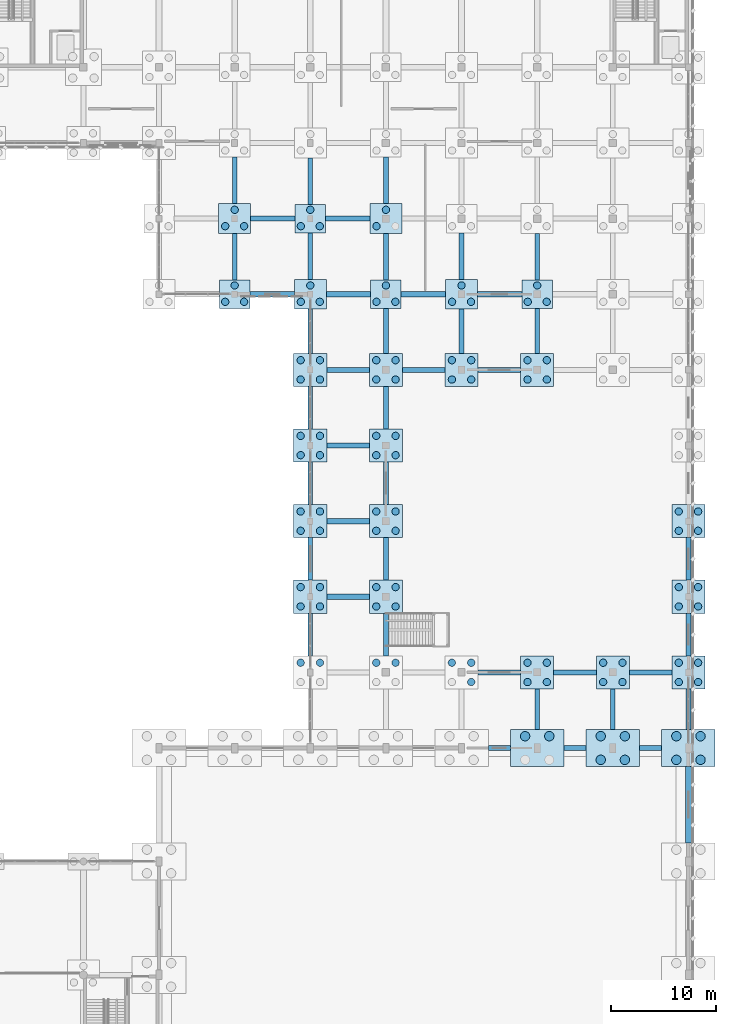
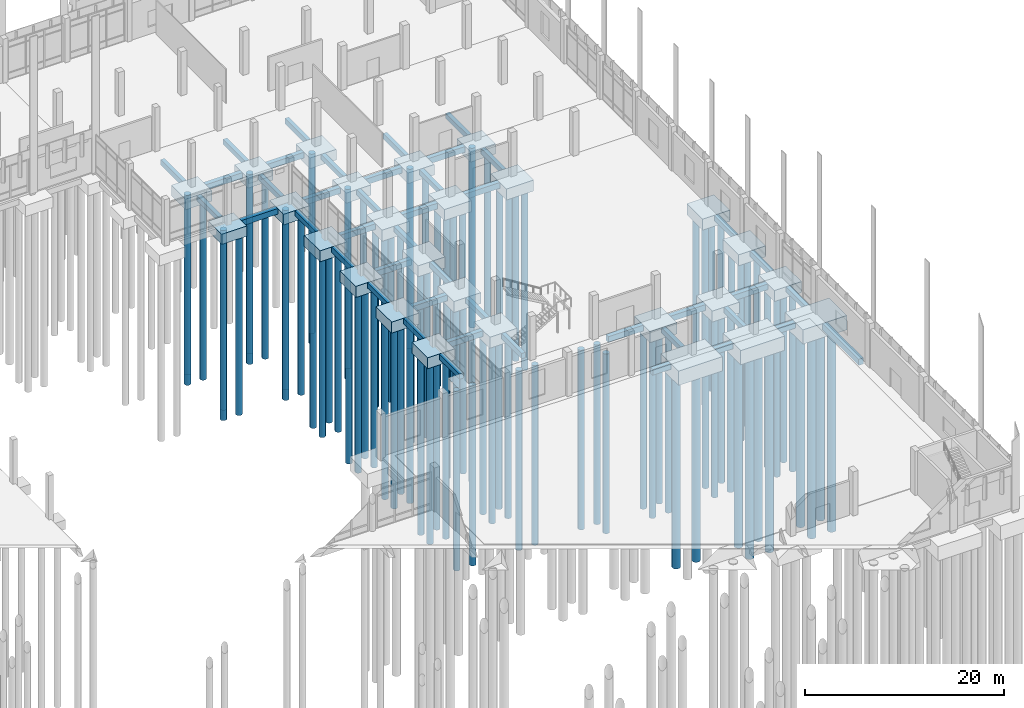
# One storey, part 8 of 109: 100 piles, 70 footings.
"""IFC4 building model written with IfcOpenShell, lengths in metres."""

from ifc_helpers import new_model, si_unit, direction, frame, origin, origin_2d, place, context, subcontext, project, spatial, rectangle, circle, extrude, material, material_profile, profile_set, type_object, element, save


model = new_model("IFC4")

# Units and contexts
model_context = context("Model", 3, precision=1e-05, world=origin(), true_north=direction((0.0, 1.0)))
body_context = subcontext(model_context, "Body", "Model", "MODEL_VIEW")
ifc_project = project(units=[si_unit("LENGTHUNIT", "METRE"), si_unit("AREAUNIT", "SQUARE_METRE"), si_unit("VOLUMEUNIT", "CUBIC_METRE"), si_unit("PLANEANGLEUNIT", "RADIAN"), si_unit("MASSUNIT", "GRAM", prefix="KILO")], contexts=[model_context])

# Site, building, storey
site_placement = place(None, origin())
site = spatial("IfcSite", under=ifc_project, at=site_placement, CompositionType="ELEMENT")
building_placement = place(site_placement, origin())
building = spatial("IfcBuilding", under=site, at=building_placement, Name="Lusvemor Sports Hall", CompositionType="ELEMENT")
storey_placement = place(building_placement, origin())
storey = spatial("IfcBuildingStorey", under=building, at=storey_placement, Name="L00", CompositionType="ELEMENT", Elevation=0.0)

# Footings
ifc_material_1 = material(Name="Concrete C40/50", Category="concrete")
ifc_material_profile_1 = material_profile(ifc_material_1, rectangle(XDim=0.449951171875, YDim=0.64990234375, at=origin_2d()), Name="GB_450x650")
ifc_profile_set_1 = profile_set([ifc_material_profile_1], Name="Concrete C40/50")
footing_type_1 = type_object("IfcFootingType", Name="GBEAM_450x650", PredefinedType="FOOTING_BEAM", material=ifc_profile_set_1)
for number, where, z_axis, x_axis, name in (
    (1, (126.0, 84.14794921875, -0.625), (0.0, 1.0, 0.0), (-1.0, 0.0, 0.0), "Ground Tie Beam 14:L-M"),
    (2, (126.0, 91.423095703125, -0.625), (0.0, 1.0, 0.0), (-1.0, 0.0, 0.0), "Ground Tie Beam 14:M-N"),
):
    element("IfcFooting", number, at=place(storey_placement, frame(where, z_axis=z_axis, x_axis=x_axis)), inside=storey, type_object=footing_type_1, Name=name, PredefinedType="FOOTING_BEAM", context=body_context, shape_type="SweptSolid", body=[
        extrude(rectangle(XDim=0.449951171875, YDim=0.64990234375, at=origin_2d()), origin(), (0.0, 0.0, 1.0), 4.428955078125),
    ])
for number, where, z_axis, x_axis, name in (
    (3, (133.199951171875, 48.373046875, -0.625), (0.0, 1.0, 0.0), (-1.0, 0.0, 0.0), "Ground Tie Beam 15:F-G"),
    (4, (133.199951171875, 55.572998046875, -0.625), (0.0, 1.0, 0.0), (-1.0, 0.0, 0.0), "Ground Tie Beam 15:G-H"),
    (5, (133.199951171875, 62.77294921875, -0.625), (0.0, 1.0, 0.0), (-1.0, 0.0, 0.0), "Ground Tie Beam 15:H-J"),
):
    element("IfcFooting", number, at=place(storey_placement, frame(where, z_axis=z_axis, x_axis=x_axis)), inside=storey, type_object=footing_type_1, Name=name, PredefinedType="FOOTING_BEAM", context=body_context, shape_type="SweptSolid", body=[
        extrude(rectangle(XDim=0.449951171875, YDim=0.64990234375, at=origin_2d()), origin(), (0.0, 0.0, 1.0), 4.053955078125),
    ])
footing_1_placement = place(storey_placement, frame((133.199951171875, 69.972900390625, -0.625), z_axis=(0.0, 1.0, 0.0), x_axis=(-1.0, 0.0, 0.0)))
element("IfcFooting", 6, at=footing_1_placement, inside=storey, type_object=footing_type_1, Name="Ground Tie Beam 15:J-K", PredefinedType="FOOTING_BEAM", context=body_context, shape_type="SweptSolid", body=[
    extrude(rectangle(XDim=0.449951171875, YDim=0.64990234375, at=origin_2d()), origin(), (0.0, 0.0, 1.0), 4.05419921875),
])
footing_2_placement = place(storey_placement, frame((133.199951171875, 77.173095703125, -0.625), z_axis=(0.0, 1.0, 0.0), x_axis=(-1.0, 0.0, 0.0)))
element("IfcFooting", 7, at=footing_2_placement, inside=storey, type_object=footing_type_1, Name="Ground Tie Beam 15:K-L", PredefinedType="FOOTING_BEAM", context=body_context, shape_type="SweptSolid", body=[
    extrude(rectangle(XDim=0.449951171875, YDim=0.64990234375, at=origin_2d()), origin(), (0.0, 0.0, 1.0), 4.203857421875),
])
for number, where, z_axis, x_axis, name in (
    (8, (133.199951171875, 84.222900390625, -0.625), (0.0, 1.0, 0.0), (-1.0, 0.0, 0.0), "Ground Tie Beam 15:L-M"),
    (9, (133.199951171875, 91.347900390625, -0.625), (0.0, 1.0, 0.0), (-1.0, 0.0, 0.0), "Ground Tie Beam 15:M-N"),
):
    element("IfcFooting", number, at=place(storey_placement, frame(where, z_axis=z_axis, x_axis=x_axis)), inside=storey, type_object=footing_type_1, Name=name, PredefinedType="FOOTING_BEAM", context=body_context, shape_type="SweptSolid", body=[
        extrude(rectangle(XDim=0.449951171875, YDim=0.64990234375, at=origin_2d()), origin(), (0.0, 0.0, 1.0), 4.42919921875),
    ])
for number, where, z_axis, x_axis, name in (
    (10, (140.39990234375, 48.373046875, -0.625), (0.0, 1.0, 0.0), (-1.0, 0.0, 0.0), "Ground Tie Beam 16:F-G"),
    (11, (140.39990234375, 55.572998046875, -0.625), (0.0, 1.0, 0.0), (-1.0, 0.0, 0.0), "Ground Tie Beam 16:G-H"),
    (12, (140.39990234375, 62.77294921875, -0.625), (0.0, 1.0, 0.0), (-1.0, 0.0, 0.0), "Ground Tie Beam 16:H-J"),
):
    element("IfcFooting", number, at=place(storey_placement, frame(where, z_axis=z_axis, x_axis=x_axis)), inside=storey, type_object=footing_type_1, Name=name, PredefinedType="FOOTING_BEAM", context=body_context, shape_type="SweptSolid", body=[
        extrude(rectangle(XDim=0.449951171875, YDim=0.64990234375, at=origin_2d()), origin(), (0.0, 0.0, 1.0), 4.053955078125),
    ])
footing_3_placement = place(storey_placement, frame((140.39990234375, 69.972900390625, -0.625), z_axis=(0.0, 1.0, 0.0), x_axis=(-1.0, 0.0, 0.0)))
element("IfcFooting", 13, at=footing_3_placement, inside=storey, type_object=footing_type_1, Name="Ground Tie Beam 16:J-K", PredefinedType="FOOTING_BEAM", context=body_context, shape_type="SweptSolid", body=[
    extrude(rectangle(XDim=0.449951171875, YDim=0.64990234375, at=origin_2d()), origin(), (0.0, 0.0, 1.0), 4.05419921875),
])
footing_4_placement = place(storey_placement, frame((140.39990234375, 77.173095703125, -0.625), z_axis=(0.0, 1.0, 0.0), x_axis=(-1.0, 0.0, 0.0)))
element("IfcFooting", 14, at=footing_4_placement, inside=storey, type_object=footing_type_1, Name="Ground Tie Beam 16:K-L", PredefinedType="FOOTING_BEAM", context=body_context, shape_type="SweptSolid", body=[
    extrude(rectangle(XDim=0.449951171875, YDim=0.64990234375, at=origin_2d()), origin(), (0.0, 0.0, 1.0), 4.27880859375),
])
for number, where, z_axis, x_axis, name in (
    (15, (140.39990234375, 84.14794921875, -0.625), (0.0, 1.0, 0.0), (-1.0, 0.0, 0.0), "Ground Tie Beam 16:L-M"),
    (16, (140.39990234375, 91.423095703125, -0.625), (0.0, 1.0, 0.0), (-1.0, 0.0, 0.0), "Ground Tie Beam 16:M-N"),
):
    element("IfcFooting", number, at=place(storey_placement, frame(where, z_axis=z_axis, x_axis=x_axis)), inside=storey, type_object=footing_type_1, Name=name, PredefinedType="FOOTING_BEAM", context=body_context, shape_type="SweptSolid", body=[
        extrude(rectangle(XDim=0.449951171875, YDim=0.64990234375, at=origin_2d()), origin(), (0.0, 0.0, 1.0), 4.428955078125),
    ])
footing_5_placement = place(storey_placement, frame((147.60009765625, 77.173095703125, -0.625), z_axis=(0.0, 1.0, 0.0), x_axis=(-1.0, 0.0, 0.0)))
element("IfcFooting", 17, at=footing_5_placement, inside=storey, type_object=footing_type_1, Name="Ground Tie Beam 17:K-L", PredefinedType="FOOTING_BEAM", context=body_context, shape_type="SweptSolid", body=[
    extrude(rectangle(XDim=0.449951171875, YDim=0.64990234375, at=origin_2d()), origin(), (0.0, 0.0, 1.0), 4.203857421875),
])
footing_6_placement = place(storey_placement, frame((147.60009765625, 84.222900390625, -0.625), z_axis=(0.0, 1.0, 0.0), x_axis=(-1.0, 0.0, 0.0)))
element("IfcFooting", 18, at=footing_6_placement, inside=storey, type_object=footing_type_1, Name="Ground Tie Beam 17:L-M", PredefinedType="FOOTING_BEAM", context=body_context, shape_type="SweptSolid", body=[
    extrude(rectangle(XDim=0.449951171875, YDim=0.64990234375, at=origin_2d()), origin(), (0.0, 0.0, 1.0), 4.42919921875),
])
footing_7_placement = place(storey_placement, frame((154.800048828125, 41.373046875, -0.625), z_axis=(0.0, 1.0, 0.0), x_axis=(-1.0, 0.0, 0.0)))
element("IfcFooting", 19, at=footing_7_placement, inside=storey, type_object=footing_type_1, Name="Ground Tie Beam 18:E-F", PredefinedType="FOOTING_BEAM", context=body_context, shape_type="SweptSolid", body=[
    extrude(rectangle(XDim=0.449951171875, YDim=0.64990234375, at=origin_2d()), origin(), (0.0, 0.0, 1.0), 3.85400390625),
])
footing_8_placement = place(storey_placement, frame((154.800048828125, 77.173095703125, -0.625), z_axis=(0.0, 1.0, 0.0), x_axis=(-1.0, 0.0, 0.0)))
element("IfcFooting", 20, at=footing_8_placement, inside=storey, type_object=footing_type_1, Name="Ground Tie Beam 18:K-L", PredefinedType="FOOTING_BEAM", context=body_context, shape_type="SweptSolid", body=[
    extrude(rectangle(XDim=0.449951171875, YDim=0.64990234375, at=origin_2d()), origin(), (0.0, 0.0, 1.0), 4.27880859375),
])
footing_9_placement = place(storey_placement, frame((154.800048828125, 84.14794921875, -0.625), z_axis=(0.0, 1.0, 0.0), x_axis=(-1.0, 0.0, 0.0)))
element("IfcFooting", 21, at=footing_9_placement, inside=storey, type_object=footing_type_1, Name="Ground Tie Beam 18:L-M", PredefinedType="FOOTING_BEAM", context=body_context, shape_type="SweptSolid", body=[
    extrude(rectangle(XDim=0.449951171875, YDim=0.64990234375, at=origin_2d()), origin(), (0.0, 0.0, 1.0), 4.428955078125),
])
for number, where, z_axis, x_axis, name in (
    (22, (162.0, 41.373046875, -0.625), (0.0, 1.0, 0.0), (-1.0, 0.0, 0.0), "Ground Tie Beam 19:E-F"),
    (23, (169.199951171875, 41.373046875, -0.625), (0.0, 1.0, 0.0), (-1.0, 0.0, 0.0), "Ground Tie Beam 20:E-F"),
):
    element("IfcFooting", number, at=place(storey_placement, frame(where, z_axis=z_axis, x_axis=x_axis)), inside=storey, type_object=footing_type_1, Name=name, PredefinedType="FOOTING_BEAM", context=body_context, shape_type="SweptSolid", body=[
        extrude(rectangle(XDim=0.449951171875, YDim=0.64990234375, at=origin_2d()), origin(), (0.0, 0.0, 1.0), 3.85400390625),
    ])
for number, where, z_axis, x_axis, name in (
    (24, (169.199951171875, 48.373046875, -0.625), (0.0, 1.0, 0.0), (-1.0, 0.0, 0.0), "Ground Tie Beam 20:F-G"),
    (25, (169.199951171875, 55.572998046875, -0.625), (0.0, 1.0, 0.0), (-1.0, 0.0, 0.0), "Ground Tie Beam 20:G-H"),
):
    element("IfcFooting", number, at=place(storey_placement, frame(where, z_axis=z_axis, x_axis=x_axis)), inside=storey, type_object=footing_type_1, Name=name, PredefinedType="FOOTING_BEAM", context=body_context, shape_type="SweptSolid", body=[
        extrude(rectangle(XDim=0.449951171875, YDim=0.64990234375, at=origin_2d()), origin(), (0.0, 0.0, 1.0), 4.053955078125),
    ])
ifc_material_2 = material(Name="Concrete C40/50", Category="concrete")
ifc_material_profile_2 = material_profile(ifc_material_2, rectangle(XDim=0.5, YDim=0.699951171875, at=origin_2d()), Name="GB_500x700")
ifc_profile_set_2 = profile_set([ifc_material_profile_2], Name="Concrete C40/50")
footing_type_2 = type_object("IfcFootingType", Name="GBEAM_500x700", PredefinedType="FOOTING_BEAM", material=ifc_profile_set_2)
for number, where, z_axis, x_axis, name in (
    (26, (150.14794921875, 39.60009765625, -0.64990234375), (1.0, 0.0, 0.0), (0.0, 1.0, 0.0), "Ground Tie Beam E:17-18"),
    (27, (157.347900390625, 39.60009765625, -0.64990234375), (1.0, 0.0, 0.0), (0.0, 1.0, 0.0), "Ground Tie Beam E:18-19"),
    (28, (164.548095703125, 39.60009765625, -0.64990234375), (1.0, 0.0, 0.0), (0.0, 1.0, 0.0), "Ground Tie Beam E:19-20"),
):
    element("IfcFooting", number, at=place(storey_placement, frame(where, z_axis=z_axis, x_axis=x_axis)), inside=storey, type_object=footing_type_2, Name=name, PredefinedType="FOOTING_BEAM", context=body_context, shape_type="SweptSolid", body=[
        extrude(rectangle(XDim=0.5, YDim=0.699951171875, at=origin_2d()), origin(), (0.0, 0.0, 1.0), 2.10400390625),
    ])
for number, where, z_axis, x_axis, name in (
    (29, (149.173095703125, 46.800048828125, -0.64990234375), (1.0, 0.0, 0.0), (0.0, 1.0, 0.0), "Ground Tie Beam F:17-18"),
    (30, (156.373046875, 46.800048828125, -0.64990234375), (1.0, 0.0, 0.0), (0.0, 1.0, 0.0), "Ground Tie Beam F:18-19"),
    (31, (163.572998046875, 46.800048828125, -0.64990234375), (1.0, 0.0, 0.0), (0.0, 1.0, 0.0), "Ground Tie Beam F:19-20"),
    (32, (134.77294921875, 54.0, -0.64990234375), (1.0, 0.0, 0.0), (0.0, 1.0, 0.0), "Ground Tie Beam G:15-16"),
    (33, (134.77294921875, 61.199951171875, -0.64990234375), (1.0, 0.0, 0.0), (0.0, 1.0, 0.0), "Ground Tie Beam H:15-16"),
    (34, (134.77294921875, 68.39990234375, -0.64990234375), (1.0, 0.0, 0.0), (0.0, 1.0, 0.0), "Ground Tie Beam J:15-16"),
    (35, (134.77294921875, 75.60009765625, -0.64990234375), (1.0, 0.0, 0.0), (0.0, 1.0, 0.0), "Ground Tie Beam K:15-16"),
):
    element("IfcFooting", number, at=place(storey_placement, frame(where, z_axis=z_axis, x_axis=x_axis)), inside=storey, type_object=footing_type_2, Name=name, PredefinedType="FOOTING_BEAM", context=body_context, shape_type="SweptSolid", body=[
        extrude(rectangle(XDim=0.5, YDim=0.699951171875, at=origin_2d()), origin(), (0.0, 0.0, 1.0), 4.053955078125),
    ])
footing_10_placement = place(storey_placement, frame((141.972900390625, 75.60009765625, -0.64990234375), z_axis=(1.0, 0.0, 0.0), x_axis=(0.0, 1.0, 0.0)))
element("IfcFooting", 36, at=footing_10_placement, inside=storey, type_object=footing_type_2, Name="Ground Tie Beam K:16-17", PredefinedType="FOOTING_BEAM", context=body_context, shape_type="SweptSolid", body=[
    extrude(rectangle(XDim=0.5, YDim=0.699951171875, at=origin_2d()), origin(), (0.0, 0.0, 1.0), 4.05419921875),
])
footing_11_placement = place(storey_placement, frame((149.173095703125, 75.60009765625, -0.64990234375), z_axis=(1.0, 0.0, 0.0), x_axis=(0.0, 1.0, 0.0)))
element("IfcFooting", 37, at=footing_11_placement, inside=storey, type_object=footing_type_2, Name="Ground Tie Beam K:17-18", PredefinedType="FOOTING_BEAM", context=body_context, shape_type="SweptSolid", body=[
    extrude(rectangle(XDim=0.5, YDim=0.699951171875, at=origin_2d()), origin(), (0.0, 0.0, 1.0), 4.053955078125),
])
for number, where, z_axis, x_axis, name in (
    (38, (127.447998046875, 82.800048828125, -0.64990234375), (1.0, 0.0, 0.0), (0.0, 1.0, 0.0), "Ground Tie Beam L:14-15"),
    (39, (134.722900390625, 82.800048828125, -0.64990234375), (1.0, 0.0, 0.0), (0.0, 1.0, 0.0), "Ground Tie Beam L:15-16"),
    (40, (141.847900390625, 82.800048828125, -0.64990234375), (1.0, 0.0, 0.0), (0.0, 1.0, 0.0), "Ground Tie Beam L:16-17"),
    (41, (149.123046875, 82.800048828125, -0.64990234375), (1.0, 0.0, 0.0), (0.0, 1.0, 0.0), "Ground Tie Beam L:17-18"),
    (42, (127.52294921875, 90.0, -0.64990234375), (1.0, 0.0, 0.0), (0.0, 1.0, 0.0), "Ground Tie Beam M:14-15"),
    (43, (134.64794921875, 90.0, -0.64990234375), (1.0, 0.0, 0.0), (0.0, 1.0, 0.0), "Ground Tie Beam M:15-16"),
):
    element("IfcFooting", number, at=place(storey_placement, frame(where, z_axis=z_axis, x_axis=x_axis)), inside=storey, type_object=footing_type_2, Name=name, PredefinedType="FOOTING_BEAM", context=body_context, shape_type="SweptSolid", body=[
        extrude(rectangle(XDim=0.5, YDim=0.699951171875, at=origin_2d()), origin(), (0.0, 0.0, 1.0), 4.22900390625),
    ])
ifc_material_3 = material(Name="Concrete C40/50", Category="concrete")
ifc_material_profile_3 = material_profile(ifc_material_3, rectangle(XDim=0.550048828125, YDim=0.75, at=origin_2d()), Name="GB_550x750")
ifc_profile_set_3 = profile_set([ifc_material_profile_3], Name="Concrete C40/50")
footing_type_3 = type_object("IfcFootingType", Name="GBEAM_550x750", PredefinedType="FOOTING_BEAM", material=ifc_profile_set_3)
footing_12_placement = place(storey_placement, frame((169.199951171875, 30.572998046875, -0.675048828125), z_axis=(0.0, 1.0, 0.0), x_axis=(-1.0, 0.0, 0.0)))
element("IfcFooting", 44, at=footing_12_placement, inside=storey, type_object=footing_type_3, Name="Ground Tie Beam 20:D-E", PredefinedType="FOOTING_BEAM", context=body_context, shape_type="SweptSolid", body=[
    extrude(rectangle(XDim=0.550048828125, YDim=0.75, at=origin_2d()), origin(), (0.0, 0.0, 1.0), 7.25390625),
])
ifc_material_4 = material(Name="Concrete C40/50", Category="concrete")
footing_type_4 = type_object("IfcFootingType", Name="PCAP_3P_A", PredefinedType="PILE_CAP", material=ifc_material_4)
for number, where, z_axis, x_axis, name in (
    (45, (126.0, 82.800048828125, -1.550048828125), (0.0, 0.0, 1.0), (1.0, 0.0, 0.0), "Pile Cap 14/L"),
    (46, (133.199951171875, 90.0, -1.550048828125), (0.0, 0.0, 1.0), (1.0, 0.0, 0.0), "Pile Cap 15/M"),
    (47, (140.39990234375, 82.800048828125, -1.550048828125), (0.0, 0.0, 1.0), (1.0, 0.0, 0.0), "Pile Cap 16/L"),
    (48, (154.800048828125, 82.800048828125, -1.550048828125), (0.0, 0.0, 1.0), (1.0, 0.0, 0.0), "Pile Cap 18/L"),
):
    element("IfcFooting", number, at=place(storey_placement, frame(where, z_axis=z_axis, x_axis=x_axis)), inside=storey, type_object=footing_type_4, Name=name, PredefinedType="PILE_CAP", context=body_context, shape_type="SweptSolid", body=[
        extrude(rectangle(XDim=2.89990234375, YDim=2.699951171875, at=origin_2d()), origin(), (0.0, 0.0, 1.0), 1.25),
    ])
ifc_material_5 = material(Name="Concrete C40/50", Category="concrete")
footing_type_5 = type_object("IfcFootingType", Name="PCAP_3P_B", PredefinedType="PILE_CAP", material=ifc_material_5)
for number, where, z_axis, x_axis, name in (
    (49, (126.0, 90.0, -1.60009765625), (0.0, 0.0, 1.0), (1.0, 0.0, 0.0), "Pile Cap 14/M"),
    (50, (133.199951171875, 82.800048828125, -1.60009765625), (0.0, 0.0, 1.0), (1.0, 0.0, 0.0), "Pile Cap 15/L"),
    (51, (140.39990234375, 90.0, -1.60009765625), (0.0, 0.0, 1.0), (1.0, 0.0, 0.0), "Pile Cap 16/M"),
    (52, (147.60009765625, 82.800048828125, -1.60009765625), (0.0, 0.0, 1.0), (1.0, 0.0, 0.0), "Pile Cap 17/L"),
):
    element("IfcFooting", number, at=place(storey_placement, frame(where, z_axis=z_axis, x_axis=x_axis)), inside=storey, type_object=footing_type_5, Name=name, PredefinedType="PILE_CAP", context=body_context, shape_type="SweptSolid", body=[
        extrude(rectangle(XDim=3.050048828125, YDim=2.85009765625, at=origin_2d()), origin(), (0.0, 0.0, 1.0), 1.300048828125),
    ])
ifc_material_6 = material(Name="Concrete C40/50", Category="concrete")
footing_type_6 = type_object("IfcFootingType", Name="PCAP_4P_A", PredefinedType="PILE_CAP", material=ifc_material_6)
for number, where, z_axis, x_axis, name in (
    (53, (133.199951171875, 54.0, -1.650146484375), (0.0, 0.0, 1.0), (1.0, 0.0, 0.0), "Pile Cap 15/G"),
    (54, (133.199951171875, 61.199951171875, -1.650146484375), (0.0, 0.0, 1.0), (1.0, 0.0, 0.0), "Pile Cap 15/H"),
    (55, (133.199951171875, 68.39990234375, -1.650146484375), (0.0, 0.0, 1.0), (1.0, 0.0, 0.0), "Pile Cap 15/J"),
    (56, (133.199951171875, 75.60009765625, -1.650146484375), (0.0, 0.0, 1.0), (1.0, 0.0, 0.0), "Pile Cap 15/K"),
    (57, (140.39990234375, 54.0, -1.650146484375), (0.0, 0.0, 1.0), (1.0, 0.0, 0.0), "Pile Cap 16/G"),
    (58, (140.39990234375, 61.199951171875, -1.650146484375), (0.0, 0.0, 1.0), (1.0, 0.0, 0.0), "Pile Cap 16/H"),
    (59, (140.39990234375, 68.39990234375, -1.650146484375), (0.0, 0.0, 1.0), (1.0, 0.0, 0.0), "Pile Cap 16/J"),
    (60, (140.39990234375, 75.60009765625, -1.650146484375), (0.0, 0.0, 1.0), (1.0, 0.0, 0.0), "Pile Cap 16/K"),
    (61, (147.60009765625, 75.60009765625, -1.650146484375), (0.0, 0.0, 1.0), (1.0, 0.0, 0.0), "Pile Cap 17/K"),
    (62, (154.800048828125, 46.800048828125, -1.650146484375), (0.0, 0.0, 1.0), (1.0, 0.0, 0.0), "Pile Cap 18/F"),
    (63, (154.800048828125, 75.60009765625, -1.650146484375), (0.0, 0.0, 1.0), (1.0, 0.0, 0.0), "Pile Cap 18/K"),
    (64, (162.0, 46.800048828125, -1.650146484375), (0.0, 0.0, 1.0), (1.0, 0.0, 0.0), "Pile Cap 19/F"),
    (65, (169.199951171875, 46.800048828125, -1.650146484375), (0.0, 0.0, 1.0), (1.0, 0.0, 0.0), "Pile Cap 20/F"),
    (66, (169.199951171875, 54.0, -1.650146484375), (0.0, 0.0, 1.0), (1.0, 0.0, 0.0), "Pile Cap 20/G"),
    (67, (169.199951171875, 61.199951171875, -1.650146484375), (0.0, 0.0, 1.0), (1.0, 0.0, 0.0), "Pile Cap 20/H"),
):
    element("IfcFooting", number, at=place(storey_placement, frame(where, z_axis=z_axis, x_axis=x_axis)), inside=storey, type_object=footing_type_6, Name=name, PredefinedType="PILE_CAP", context=body_context, shape_type="SweptSolid", body=[
        extrude(rectangle(XDim=3.14990234375, YDim=3.14990234375, at=origin_2d()), origin(), (0.0, 0.0, 1.0), 1.35009765625),
    ])
ifc_material_7 = material(Name="Concrete C40/50", Category="concrete")
footing_type_7 = type_object("IfcFootingType", Name="PCAP_4P_PT", PredefinedType="PILE_CAP", material=ifc_material_7)
for number, where, z_axis, x_axis, name in (
    (68, (154.800048828125, 39.60009765625, -2.050048828125), (0.0, 0.0, 1.0), (1.0, 0.0, 0.0), "Pile Cap 18/E"),
    (69, (162.0, 39.60009765625, -2.050048828125), (0.0, 0.0, 1.0), (1.0, 0.0, 0.0), "Pile Cap 19/E"),
    (70, (169.199951171875, 39.60009765625, -2.050048828125), (0.0, 0.0, 1.0), (1.0, 0.0, 0.0), "Pile Cap 20/E"),
):
    element("IfcFooting", number, at=place(storey_placement, frame(where, z_axis=z_axis, x_axis=x_axis)), inside=storey, type_object=footing_type_7, Name=name, PredefinedType="PILE_CAP", context=body_context, shape_type="SweptSolid", body=[
        extrude(rectangle(XDim=5.10009765625, YDim=3.550048828125, at=origin_2d()), origin(), (0.0, 0.0, 1.0), 1.75),
    ])

# Piles
ifc_material_8 = material(Name="Concrete C40/50", Category="concrete")
ifc_material_profile_4 = material_profile(ifc_material_8, circle(Radius=0.35009765625, at=origin_2d()), Name="PILE700")
ifc_profile_set_4 = profile_set([ifc_material_profile_4], Name="Concrete C40/50")
pile_type_1 = type_object("IfcPileType", Name="PILE_BORED_700", PredefinedType="BORED", material=ifc_profile_set_4)
for number, where, z_axis, x_axis, name in (
    (71, (125.10009765625, 82.080078125, -1.449951171875), (0.0, 0.0, -1.0), (1.0, 0.0, 0.0), "Bored Pile 14/L-1"),
    (72, (126.89990234375, 82.080078125, -1.449951171875), (0.0, 0.0, -1.0), (1.0, 0.0, 0.0), "Bored Pile 14/L-2"),
    (73, (126.0, 83.639892578125, -1.449951171875), (0.0, 0.0, -1.0), (1.0, 0.0, 0.0), "Bored Pile 14/L-3"),
    (74, (125.10009765625, 89.280029296875, -1.5), (0.0, 0.0, -1.0), (1.0, 0.0, 0.0), "Bored Pile 14/M-1"),
    (75, (126.89990234375, 89.280029296875, -1.5), (0.0, 0.0, -1.0), (1.0, 0.0, 0.0), "Bored Pile 14/M-2"),
    (76, (126.0, 90.840087890625, -1.5), (0.0, 0.0, -1.0), (1.0, 0.0, 0.0), "Bored Pile 14/M-3"),
    (77, (132.280029296875, 47.719970703125, -1.550048828125), (0.0, 0.0, -1.0), (1.0, 0.0, 0.0), "Bored Pile 15/F-3"),
    (78, (134.1201171875, 47.719970703125, -1.550048828125), (0.0, 0.0, -1.0), (1.0, 0.0, 0.0), "Bored Pile 15/F-4"),
    (79, (132.280029296875, 53.080078125, -1.550048828125), (0.0, 0.0, -1.0), (1.0, 0.0, 0.0), "Bored Pile 15/G-1"),
    (80, (134.1201171875, 53.080078125, -1.550048828125), (0.0, 0.0, -1.0), (1.0, 0.0, 0.0), "Bored Pile 15/G-2"),
    (81, (132.280029296875, 54.919921875, -1.550048828125), (0.0, 0.0, -1.0), (1.0, 0.0, 0.0), "Bored Pile 15/G-3"),
    (82, (134.1201171875, 54.919921875, -1.550048828125), (0.0, 0.0, -1.0), (1.0, 0.0, 0.0), "Bored Pile 15/G-4"),
    (83, (132.280029296875, 60.280029296875, -1.550048828125), (0.0, 0.0, -1.0), (1.0, 0.0, 0.0), "Bored Pile 15/H-1"),
    (84, (134.1201171875, 60.280029296875, -1.550048828125), (0.0, 0.0, -1.0), (1.0, 0.0, 0.0), "Bored Pile 15/H-2"),
    (85, (132.280029296875, 62.1201171875, -1.550048828125), (0.0, 0.0, -1.0), (1.0, 0.0, 0.0), "Bored Pile 15/H-3"),
    (86, (134.1201171875, 62.1201171875, -1.550048828125), (0.0, 0.0, -1.0), (1.0, 0.0, 0.0), "Bored Pile 15/H-4"),
    (87, (132.280029296875, 67.47998046875, -1.550048828125), (0.0, 0.0, -1.0), (1.0, 0.0, 0.0), "Bored Pile 15/J-1"),
    (88, (134.1201171875, 67.47998046875, -1.550048828125), (0.0, 0.0, -1.0), (1.0, 0.0, 0.0), "Bored Pile 15/J-2"),
    (89, (132.280029296875, 69.320068359375, -1.550048828125), (0.0, 0.0, -1.0), (1.0, 0.0, 0.0), "Bored Pile 15/J-3"),
    (90, (134.1201171875, 69.320068359375, -1.550048828125), (0.0, 0.0, -1.0), (1.0, 0.0, 0.0), "Bored Pile 15/J-4"),
    (91, (132.280029296875, 74.679931640625, -1.550048828125), (0.0, 0.0, -1.0), (1.0, 0.0, 0.0), "Bored Pile 15/K-1"),
    (92, (134.1201171875, 74.679931640625, -1.550048828125), (0.0, 0.0, -1.0), (1.0, 0.0, 0.0), "Bored Pile 15/K-2"),
    (93, (132.280029296875, 76.52001953125, -1.550048828125), (0.0, 0.0, -1.0), (1.0, 0.0, 0.0), "Bored Pile 15/K-3"),
    (94, (134.1201171875, 76.52001953125, -1.550048828125), (0.0, 0.0, -1.0), (1.0, 0.0, 0.0), "Bored Pile 15/K-4"),
    (95, (132.300048828125, 82.080078125, -1.5), (0.0, 0.0, -1.0), (1.0, 0.0, 0.0), "Bored Pile 15/L-1"),
    (96, (134.10009765625, 82.080078125, -1.5), (0.0, 0.0, -1.0), (1.0, 0.0, 0.0), "Bored Pile 15/L-2"),
    (97, (133.199951171875, 83.639892578125, -1.5), (0.0, 0.0, -1.0), (1.0, 0.0, 0.0), "Bored Pile 15/L-3"),
    (98, (132.300048828125, 89.280029296875, -1.449951171875), (0.0, 0.0, -1.0), (1.0, 0.0, 0.0), "Bored Pile 15/M-1"),
    (99, (134.10009765625, 89.280029296875, -1.449951171875), (0.0, 0.0, -1.0), (1.0, 0.0, 0.0), "Bored Pile 15/M-2"),
    (100, (133.199951171875, 90.840087890625, -1.449951171875), (0.0, 0.0, -1.0), (1.0, 0.0, 0.0), "Bored Pile 15/M-3"),
    (101, (139.47998046875, 47.719970703125, -1.550048828125), (0.0, 0.0, -1.0), (1.0, 0.0, 0.0), "Bored Pile 16/F-3"),
    (102, (141.320068359375, 47.719970703125, -1.550048828125), (0.0, 0.0, -1.0), (1.0, 0.0, 0.0), "Bored Pile 16/F-4"),
    (103, (139.47998046875, 53.080078125, -1.550048828125), (0.0, 0.0, -1.0), (1.0, 0.0, 0.0), "Bored Pile 16/G-1"),
    (104, (141.320068359375, 53.080078125, -1.550048828125), (0.0, 0.0, -1.0), (1.0, 0.0, 0.0), "Bored Pile 16/G-2"),
    (105, (139.47998046875, 54.919921875, -1.550048828125), (0.0, 0.0, -1.0), (1.0, 0.0, 0.0), "Bored Pile 16/G-3"),
    (106, (141.320068359375, 54.919921875, -1.550048828125), (0.0, 0.0, -1.0), (1.0, 0.0, 0.0), "Bored Pile 16/G-4"),
    (107, (139.47998046875, 60.280029296875, -1.550048828125), (0.0, 0.0, -1.0), (1.0, 0.0, 0.0), "Bored Pile 16/H-1"),
    (108, (141.320068359375, 60.280029296875, -1.550048828125), (0.0, 0.0, -1.0), (1.0, 0.0, 0.0), "Bored Pile 16/H-2"),
    (109, (139.47998046875, 62.1201171875, -1.550048828125), (0.0, 0.0, -1.0), (1.0, 0.0, 0.0), "Bored Pile 16/H-3"),
    (110, (141.320068359375, 62.1201171875, -1.550048828125), (0.0, 0.0, -1.0), (1.0, 0.0, 0.0), "Bored Pile 16/H-4"),
    (111, (139.47998046875, 67.47998046875, -1.550048828125), (0.0, 0.0, -1.0), (1.0, 0.0, 0.0), "Bored Pile 16/J-1"),
    (112, (141.320068359375, 67.47998046875, -1.550048828125), (0.0, 0.0, -1.0), (1.0, 0.0, 0.0), "Bored Pile 16/J-2"),
    (113, (139.47998046875, 69.320068359375, -1.550048828125), (0.0, 0.0, -1.0), (1.0, 0.0, 0.0), "Bored Pile 16/J-3"),
    (114, (141.320068359375, 69.320068359375, -1.550048828125), (0.0, 0.0, -1.0), (1.0, 0.0, 0.0), "Bored Pile 16/J-4"),
    (115, (139.47998046875, 74.679931640625, -1.550048828125), (0.0, 0.0, -1.0), (1.0, 0.0, 0.0), "Bored Pile 16/K-1"),
    (116, (141.320068359375, 74.679931640625, -1.550048828125), (0.0, 0.0, -1.0), (1.0, 0.0, 0.0), "Bored Pile 16/K-2"),
    (117, (139.47998046875, 76.52001953125, -1.550048828125), (0.0, 0.0, -1.0), (1.0, 0.0, 0.0), "Bored Pile 16/K-3"),
    (118, (141.320068359375, 76.52001953125, -1.550048828125), (0.0, 0.0, -1.0), (1.0, 0.0, 0.0), "Bored Pile 16/K-4"),
    (119, (139.5, 82.080078125, -1.449951171875), (0.0, 0.0, -1.0), (1.0, 0.0, 0.0), "Bored Pile 16/L-1"),
    (120, (141.300048828125, 82.080078125, -1.449951171875), (0.0, 0.0, -1.0), (1.0, 0.0, 0.0), "Bored Pile 16/L-2"),
    (121, (140.39990234375, 83.639892578125, -1.449951171875), (0.0, 0.0, -1.0), (1.0, 0.0, 0.0), "Bored Pile 16/L-3"),
    (122, (139.5, 89.280029296875, -1.5), (0.0, 0.0, -1.0), (1.0, 0.0, 0.0), "Bored Pile 16/M-1"),
    (123, (140.39990234375, 90.840087890625, -1.5), (0.0, 0.0, -1.0), (1.0, 0.0, 0.0), "Bored Pile 16/M-3"),
    (124, (148.52001953125, 45.8798828125, -1.550048828125), (0.0, 0.0, -1.0), (1.0, 0.0, 0.0), "Bored Pile 17/F-2"),
    (125, (146.679931640625, 47.719970703125, -1.550048828125), (0.0, 0.0, -1.0), (1.0, 0.0, 0.0), "Bored Pile 17/F-3"),
    (126, (148.52001953125, 47.719970703125, -1.550048828125), (0.0, 0.0, -1.0), (1.0, 0.0, 0.0), "Bored Pile 17/F-4"),
    (127, (146.679931640625, 74.679931640625, -1.550048828125), (0.0, 0.0, -1.0), (1.0, 0.0, 0.0), "Bored Pile 17/K-1"),
    (128, (148.52001953125, 74.679931640625, -1.550048828125), (0.0, 0.0, -1.0), (1.0, 0.0, 0.0), "Bored Pile 17/K-2"),
    (129, (146.679931640625, 76.52001953125, -1.550048828125), (0.0, 0.0, -1.0), (1.0, 0.0, 0.0), "Bored Pile 17/K-3"),
    (130, (148.52001953125, 76.52001953125, -1.550048828125), (0.0, 0.0, -1.0), (1.0, 0.0, 0.0), "Bored Pile 17/K-4"),
    (131, (146.699951171875, 82.080078125, -1.5), (0.0, 0.0, -1.0), (1.0, 0.0, 0.0), "Bored Pile 17/L-1"),
    (132, (148.5, 82.080078125, -1.5), (0.0, 0.0, -1.0), (1.0, 0.0, 0.0), "Bored Pile 17/L-2"),
    (133, (147.60009765625, 83.639892578125, -1.5), (0.0, 0.0, -1.0), (1.0, 0.0, 0.0), "Bored Pile 17/L-3"),
    (134, (153.8798828125, 45.8798828125, -1.550048828125), (0.0, 0.0, -1.0), (1.0, 0.0, 0.0), "Bored Pile 18/F-1"),
    (135, (155.719970703125, 45.8798828125, -1.550048828125), (0.0, 0.0, -1.0), (1.0, 0.0, 0.0), "Bored Pile 18/F-2"),
    (136, (153.8798828125, 47.719970703125, -1.550048828125), (0.0, 0.0, -1.0), (1.0, 0.0, 0.0), "Bored Pile 18/F-3"),
    (137, (155.719970703125, 47.719970703125, -1.550048828125), (0.0, 0.0, -1.0), (1.0, 0.0, 0.0), "Bored Pile 18/F-4"),
    (138, (153.8798828125, 74.679931640625, -1.550048828125), (0.0, 0.0, -1.0), (1.0, 0.0, 0.0), "Bored Pile 18/K-1"),
    (139, (155.719970703125, 74.679931640625, -1.550048828125), (0.0, 0.0, -1.0), (1.0, 0.0, 0.0), "Bored Pile 18/K-2"),
    (140, (153.8798828125, 76.52001953125, -1.550048828125), (0.0, 0.0, -1.0), (1.0, 0.0, 0.0), "Bored Pile 18/K-3"),
    (141, (155.719970703125, 76.52001953125, -1.550048828125), (0.0, 0.0, -1.0), (1.0, 0.0, 0.0), "Bored Pile 18/K-4"),
    (142, (153.89990234375, 82.080078125, -1.449951171875), (0.0, 0.0, -1.0), (1.0, 0.0, 0.0), "Bored Pile 18/L-1"),
    (143, (155.699951171875, 82.080078125, -1.449951171875), (0.0, 0.0, -1.0), (1.0, 0.0, 0.0), "Bored Pile 18/L-2"),
    (144, (154.800048828125, 83.639892578125, -1.449951171875), (0.0, 0.0, -1.0), (1.0, 0.0, 0.0), "Bored Pile 18/L-3"),
    (145, (161.080078125, 45.8798828125, -1.550048828125), (0.0, 0.0, -1.0), (1.0, 0.0, 0.0), "Bored Pile 19/F-1"),
    (146, (162.919921875, 45.8798828125, -1.550048828125), (0.0, 0.0, -1.0), (1.0, 0.0, 0.0), "Bored Pile 19/F-2"),
    (147, (161.080078125, 47.719970703125, -1.550048828125), (0.0, 0.0, -1.0), (1.0, 0.0, 0.0), "Bored Pile 19/F-3"),
    (148, (162.919921875, 47.719970703125, -1.550048828125), (0.0, 0.0, -1.0), (1.0, 0.0, 0.0), "Bored Pile 19/F-4"),
    (149, (168.280029296875, 45.8798828125, -1.550048828125), (0.0, 0.0, -1.0), (1.0, 0.0, 0.0), "Bored Pile 20/F-1"),
    (150, (170.1201171875, 45.8798828125, -1.550048828125), (0.0, 0.0, -1.0), (1.0, 0.0, 0.0), "Bored Pile 20/F-2"),
    (151, (168.280029296875, 47.719970703125, -1.550048828125), (0.0, 0.0, -1.0), (1.0, 0.0, 0.0), "Bored Pile 20/F-3"),
    (152, (170.1201171875, 47.719970703125, -1.550048828125), (0.0, 0.0, -1.0), (1.0, 0.0, 0.0), "Bored Pile 20/F-4"),
    (153, (168.280029296875, 53.080078125, -1.550048828125), (0.0, 0.0, -1.0), (1.0, 0.0, 0.0), "Bored Pile 20/G-1"),
    (154, (170.1201171875, 53.080078125, -1.550048828125), (0.0, 0.0, -1.0), (1.0, 0.0, 0.0), "Bored Pile 20/G-2"),
    (155, (168.280029296875, 54.919921875, -1.550048828125), (0.0, 0.0, -1.0), (1.0, 0.0, 0.0), "Bored Pile 20/G-3"),
    (156, (170.1201171875, 54.919921875, -1.550048828125), (0.0, 0.0, -1.0), (1.0, 0.0, 0.0), "Bored Pile 20/G-4"),
    (157, (168.280029296875, 60.280029296875, -1.550048828125), (0.0, 0.0, -1.0), (1.0, 0.0, 0.0), "Bored Pile 20/H-1"),
    (158, (170.1201171875, 60.280029296875, -1.550048828125), (0.0, 0.0, -1.0), (1.0, 0.0, 0.0), "Bored Pile 20/H-2"),
    (159, (168.280029296875, 62.1201171875, -1.550048828125), (0.0, 0.0, -1.0), (1.0, 0.0, 0.0), "Bored Pile 20/H-3"),
    (160, (170.1201171875, 62.1201171875, -1.550048828125), (0.0, 0.0, -1.0), (1.0, 0.0, 0.0), "Bored Pile 20/H-4"),
):
    element("IfcPile", number, at=place(storey_placement, frame(where, z_axis=z_axis, x_axis=x_axis)), inside=storey, type_object=pile_type_1, Name=name, PredefinedType="BORED", context=body_context, shape_type="SweptSolid", body=[
        extrude(circle(Radius=0.35009765625, at=origin_2d()), origin(), (0.0, 0.0, 1.0), 22.0),
    ])
ifc_material_9 = material(Name="Concrete C40/50", Category="concrete")
ifc_material_profile_5 = material_profile(ifc_material_9, circle(Radius=0.449951171875, at=origin_2d()), Name="PILE900")
ifc_profile_set_5 = profile_set([ifc_material_profile_5], Name="Concrete C40/50")
pile_type_2 = type_object("IfcPileType", Name="PILE_BORED_900", PredefinedType="BORED", material=ifc_profile_set_5)
for number, where, z_axis, x_axis, name in (
    (161, (153.64990234375, 40.72509765625, -1.949951171875), (0.0, 0.0, -1.0), (1.0, 0.0, 0.0), "Bored Pile 18/E-3"),
    (162, (155.949951171875, 40.72509765625, -1.949951171875), (0.0, 0.0, -1.0), (1.0, 0.0, 0.0), "Bored Pile 18/E-4"),
    (163, (160.85009765625, 38.47509765625, -1.949951171875), (0.0, 0.0, -1.0), (1.0, 0.0, 0.0), "Bored Pile 19/E-1"),
    (164, (163.14990234375, 38.47509765625, -1.949951171875), (0.0, 0.0, -1.0), (1.0, 0.0, 0.0), "Bored Pile 19/E-2"),
    (165, (160.85009765625, 40.72509765625, -1.949951171875), (0.0, 0.0, -1.0), (1.0, 0.0, 0.0), "Bored Pile 19/E-3"),
    (166, (163.14990234375, 40.72509765625, -1.949951171875), (0.0, 0.0, -1.0), (1.0, 0.0, 0.0), "Bored Pile 19/E-4"),
    (167, (168.050048828125, 38.47509765625, -1.949951171875), (0.0, 0.0, -1.0), (1.0, 0.0, 0.0), "Bored Pile 20/E-1"),
    (168, (170.35009765625, 38.47509765625, -1.949951171875), (0.0, 0.0, -1.0), (1.0, 0.0, 0.0), "Bored Pile 20/E-2"),
    (169, (168.050048828125, 40.72509765625, -1.949951171875), (0.0, 0.0, -1.0), (1.0, 0.0, 0.0), "Bored Pile 20/E-3"),
    (170, (170.35009765625, 40.72509765625, -1.949951171875), (0.0, 0.0, -1.0), (1.0, 0.0, 0.0), "Bored Pile 20/E-4"),
):
    element("IfcPile", number, at=place(storey_placement, frame(where, z_axis=z_axis, x_axis=x_axis)), inside=storey, type_object=pile_type_2, Name=name, PredefinedType="BORED", context=body_context, shape_type="SweptSolid", body=[
        extrude(circle(Radius=0.449951171875, at=origin_2d()), origin(), (0.0, 0.0, 1.0), 24.5),
    ])

save(model, "model.ifc")
